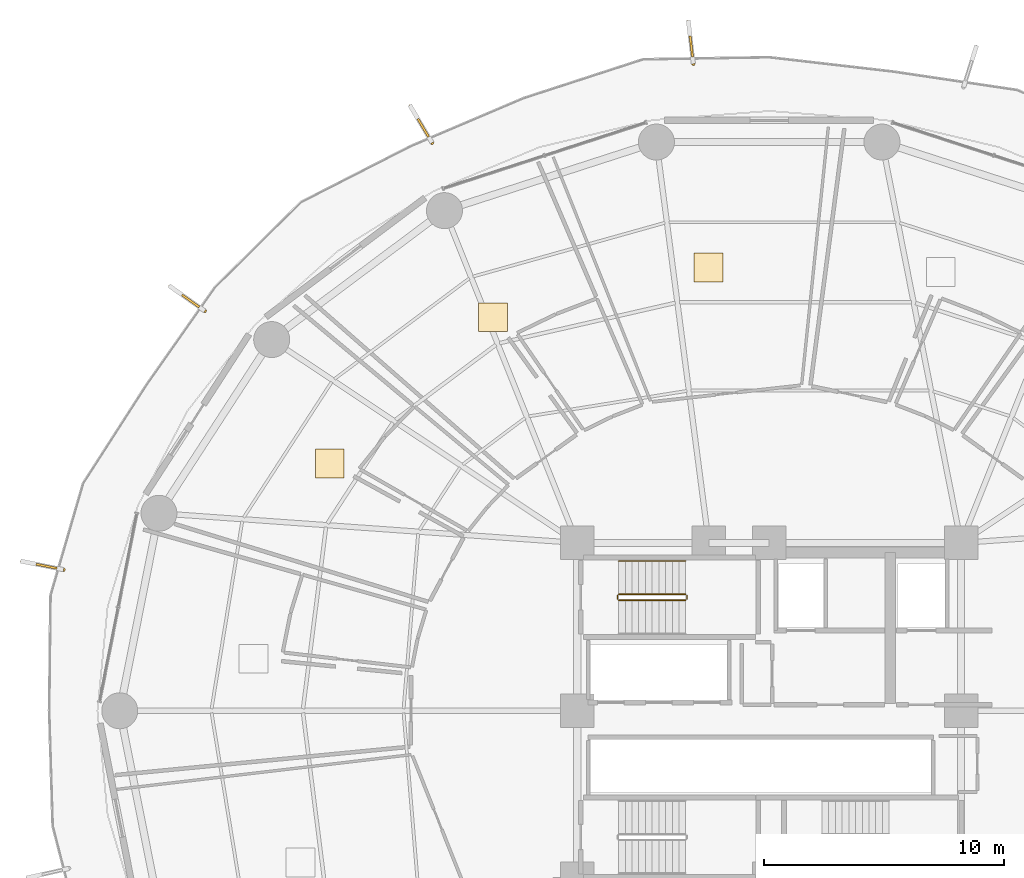
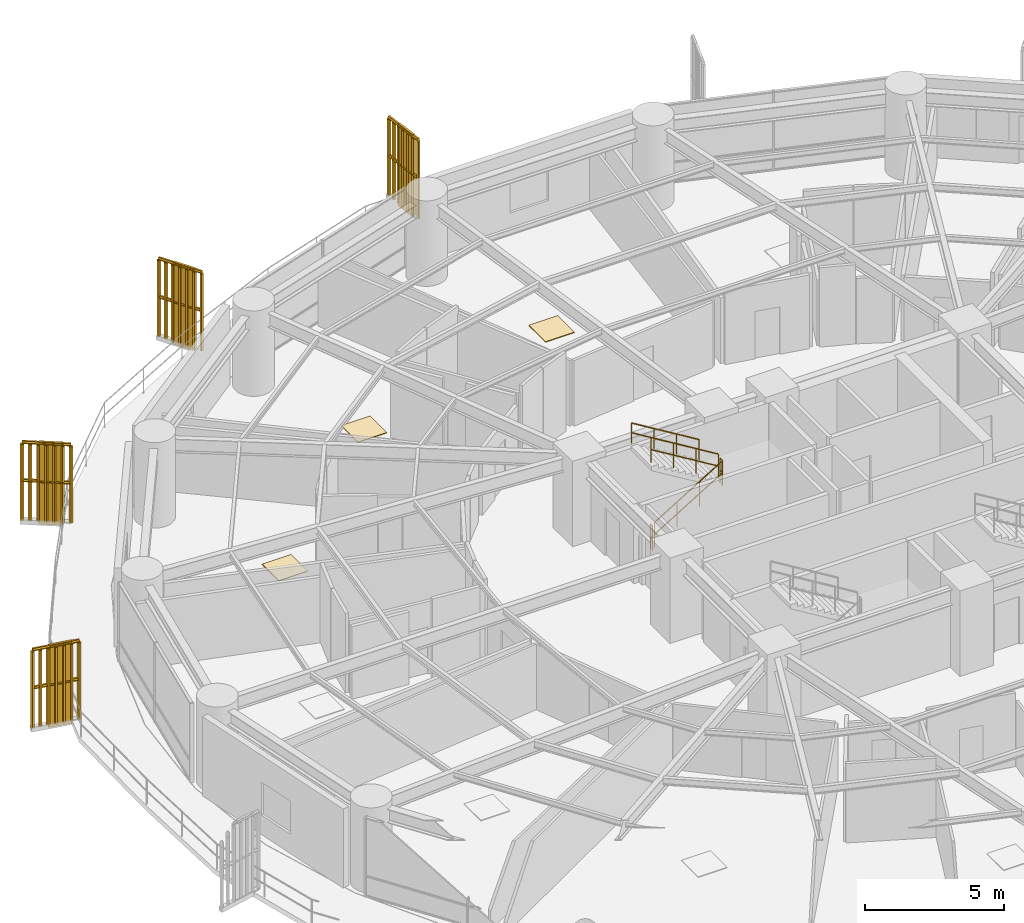
# One storey, part 31 of 32: 9 railings, 4 shading devices, 3 coverings.
"""IFC4 building model written with IfcOpenShell, lengths in metres."""

from ifc_helpers import new_model, si_unit, direction, frame, origin, origin_2d, place, context, subcontext, project, spatial, polyline, rectangle, outline, extrude, source, transform, mapped, material, layer, layer_set, type_object, element, save


model = new_model("IFC4")

# Units and contexts
model_context = context("Model", 3, precision=1e-05, world=origin(), true_north=direction((0.0, 1.0)))
body_context = subcontext(model_context, "Body", "Model", "MODEL_VIEW")
ifc_project = project(units=[si_unit("LENGTHUNIT", "METRE"), si_unit("AREAUNIT", "SQUARE_METRE"), si_unit("VOLUMEUNIT", "CUBIC_METRE"), si_unit("PLANEANGLEUNIT", "RADIAN"), si_unit("MASSUNIT", "GRAM", prefix="KILO")], contexts=[model_context])

# Site, building, storey
site_placement = place(None, origin())
site = spatial("IfcSite", under=ifc_project, at=site_placement, CompositionType="ELEMENT")
building_placement = place(site_placement, origin())
building = spatial("IfcBuilding", under=site, at=building_placement, Name="Kelanora Arch Commons", CompositionType="ELEMENT")
storey_placement = place(building_placement, frame((0.0, 0.0, 48.75)))
storey = spatial("IfcBuildingStorey", under=building, at=storey_placement, Name="L12", CompositionType="ELEMENT", Elevation=48.75)

# Railings
ifc_material_1 = material(Name="Anodised bronze vertical shading fin rib assembly")
railing_type_1 = type_object("IfcRailingType", Name="RAIL-FIN-BRZ", PredefinedType="BALUSTRADE", material=ifc_material_1)
railing_1_placement = place(storey_placement, frame((70.8369140625, 84.977783203125, -0.02001953125)))
element("IfcRailing", 1, at=railing_1_placement, inside=storey, type_object=railing_type_1, Name="Sweeping Bronze Vertical Fin Blade L12-03", PredefinedType="BALUSTRADE", context=body_context, shape_type="SweptSolid", body=[
    extrude(outline(polyline([(0.06982421875, 0.0), (0.034912109375, 0.060546875), (-0.034912109375, 0.060546875), (-0.06982421875, 0.0), (-0.034912109375, -0.060546875), (0.034912109375, -0.060546875), (0.06982421875, 0.0)])), frame((0.0, 0.0, 3.419921875), z_axis=(-0.116448517752, 0.993196729109, 0.0), x_axis=(-0.993196729109, -0.116448517752, 0.0)), (0.0, 0.0, 1.0), 1.767333984375),
    extrude(outline(polyline([(0.06982421875, 0.0), (0.034912109375, 0.060546875), (-0.034912109375, 0.060546875), (-0.06982421875, 0.0), (-0.034912109375, -0.060546875), (0.034912109375, -0.060546875), (0.06982421875, 0.0)])), frame((0.0, 0.0, 1.7451171875), z_axis=(-0.116448517752, 0.993196729109, 0.0), x_axis=(-0.993196729109, -0.116448517752, 0.0)), (0.0, 0.0, 1.0), 1.767333984375),
    extrude(outline(polyline([(0.080078125, 0.0), (0.0400390625, 0.0693359375), (-0.0400390625, 0.0693359375), (-0.080078125, 0.0), (-0.0400390625, -0.0693359375), (0.0400390625, -0.0693359375), (0.080078125, 0.0)])), origin(), (0.0, 0.0, 1.0), 3.35009765625),
    extrude(outline(polyline([(0.080078125, 0.0), (0.0400390625, 0.0693359375), (-0.0400390625, 0.0693359375), (-0.080078125, 0.0), (-0.0400390625, -0.0693359375), (0.0400390625, -0.0693359375), (0.080078125, 0.0)])), frame((-0.0341796875, 0.29248046875, 0.0)), (0.0, 0.0, 1.0), 3.35009765625),
    extrude(outline(polyline([(0.080078125, 0.0), (0.0400390625, 0.0693359375), (-0.0400390625, 0.0693359375), (-0.080078125, 0.0), (-0.0400390625, -0.0693359375), (0.0400390625, -0.0693359375), (0.080078125, 0.0)])), frame((-0.068603515625, 0.585205078125, 0.0)), (0.0, 0.0, 1.0), 3.35009765625),
    extrude(outline(polyline([(0.080078125, 0.0), (0.0400390625, 0.0693359375), (-0.0400390625, 0.0693359375), (-0.080078125, 0.0), (-0.0400390625, -0.0693359375), (0.0400390625, -0.0693359375), (0.080078125, 0.0)])), frame((-0.10302734375, 0.877685546875, 0.0)), (0.0, 0.0, 1.0), 3.35009765625),
    extrude(outline(polyline([(0.080078125, 0.0), (0.0400390625, 0.0693359375), (-0.0400390625, 0.0693359375), (-0.080078125, 0.0), (-0.0400390625, -0.0693359375), (0.0400390625, -0.0693359375), (0.080078125, 0.0)])), frame((-0.13720703125, 1.170166015625, 0.0)), (0.0, 0.0, 1.0), 3.35009765625),
    extrude(outline(polyline([(0.080078125, 0.0), (0.0400390625, 0.0693359375), (-0.0400390625, 0.0693359375), (-0.080078125, 0.0), (-0.0400390625, -0.0693359375), (0.0400390625, -0.0693359375), (0.080078125, 0.0)])), frame((-0.17138671875, 1.462890625, 0.0)), (0.0, 0.0, 1.0), 3.35009765625),
    extrude(outline(polyline([(0.080078125, 0.0), (0.0400390625, 0.0693359375), (-0.0400390625, 0.0693359375), (-0.080078125, 0.0), (-0.0400390625, -0.0693359375), (0.0400390625, -0.0693359375), (0.080078125, 0.0)])), frame((-0.205810546875, 1.75537109375, 0.0)), (0.0, 0.0, 1.0), 3.35009765625),
])
railing_2_placement = place(storey_placement, frame((59.944091796875, 81.685302734375, -0.02001953125)))
element("IfcRailing", 2, at=railing_2_placement, inside=storey, type_object=railing_type_1, Name="Sweeping Bronze Vertical Fin Blade L12-04", PredefinedType="BALUSTRADE", context=body_context, shape_type="SweptSolid", body=[
    extrude(outline(polyline([(0.06982421875, 0.0), (0.034912109375, 0.060546875), (-0.034912109375, 0.060546875), (-0.06982421875, 0.0), (-0.034912109375, -0.060546875), (0.034912109375, -0.060546875), (0.06982421875, 0.0)])), frame((0.0, 0.0, 3.419921875), z_axis=(-0.510427041023, 0.859921063699, 0.0), x_axis=(-0.859921063699, -0.510427041023, 0.0)), (0.0, 0.0, 1.0), 1.767333984375),
    extrude(outline(polyline([(0.06982421875, 0.0), (0.034912109375, 0.060546875), (-0.034912109375, 0.060546875), (-0.06982421875, 0.0), (-0.034912109375, -0.060546875), (0.034912109375, -0.060546875), (0.06982421875, 0.0)])), frame((0.0, 0.0, 1.7451171875), z_axis=(-0.510427041023, 0.859921063699, 0.0), x_axis=(-0.859921063699, -0.510427041023, 0.0)), (0.0, 0.0, 1.0), 1.767333984375),
    extrude(outline(polyline([(0.080078125, 0.0), (0.0400390625, 0.0693359375), (-0.0400390625, 0.0693359375), (-0.080078125, 0.0), (-0.0400390625, -0.0693359375), (0.0400390625, -0.0693359375), (0.080078125, 0.0)])), origin(), (0.0, 0.0, 1.0), 3.35009765625),
    extrude(outline(polyline([(0.080078125, 0.0), (0.0400390625, 0.0693359375), (-0.0400390625, 0.0693359375), (-0.080078125, 0.0), (-0.0400390625, -0.0693359375), (0.0400390625, -0.0693359375), (0.080078125, 0.0)])), frame((-0.150390625, 0.25341796875, 0.0)), (0.0, 0.0, 1.0), 3.35009765625),
    extrude(outline(polyline([(0.080078125, 0.0), (0.0400390625, 0.0693359375), (-0.0400390625, 0.0693359375), (-0.080078125, 0.0), (-0.0400390625, -0.0693359375), (0.0400390625, -0.0693359375), (0.080078125, 0.0)])), frame((-0.30078125, 0.506591796875, 0.0)), (0.0, 0.0, 1.0), 3.35009765625),
    extrude(outline(polyline([(0.080078125, 0.0), (0.0400390625, 0.0693359375), (-0.0400390625, 0.0693359375), (-0.080078125, 0.0), (-0.0400390625, -0.0693359375), (0.0400390625, -0.0693359375), (0.080078125, 0.0)])), frame((-0.451171875, 0.759765625, 0.0)), (0.0, 0.0, 1.0), 3.35009765625),
    extrude(outline(polyline([(0.080078125, 0.0), (0.0400390625, 0.0693359375), (-0.0400390625, 0.0693359375), (-0.080078125, 0.0), (-0.0400390625, -0.0693359375), (0.0400390625, -0.0693359375), (0.080078125, 0.0)])), frame((-0.601318359375, 1.01318359375, 0.0)), (0.0, 0.0, 1.0), 3.35009765625),
    extrude(outline(polyline([(0.080078125, 0.0), (0.0400390625, 0.0693359375), (-0.0400390625, 0.0693359375), (-0.080078125, 0.0), (-0.0400390625, -0.0693359375), (0.0400390625, -0.0693359375), (0.080078125, 0.0)])), frame((-0.751708984375, 1.2666015625, 0.0)), (0.0, 0.0, 1.0), 3.35009765625),
    extrude(outline(polyline([(0.080078125, 0.0), (0.0400390625, 0.0693359375), (-0.0400390625, 0.0693359375), (-0.080078125, 0.0), (-0.0400390625, -0.0693359375), (0.0400390625, -0.0693359375), (0.080078125, 0.0)])), frame((-0.902099609375, 1.519775390625, 0.0)), (0.0, 0.0, 1.0), 3.35009765625),
])
railing_3_placement = place(storey_placement, frame((50.464599609375, 74.672119140625, -0.02001953125)))
element("IfcRailing", 3, at=railing_3_placement, inside=storey, type_object=railing_type_1, Name="Sweeping Bronze Vertical Fin Blade L12-05", PredefinedType="BALUSTRADE", context=body_context, shape_type="SweptSolid", body=[
    extrude(outline(polyline([(0.06982421875, 0.0), (0.034912109375, 0.060546875), (-0.034912109375, 0.060546875), (-0.06982421875, 0.0), (-0.034912109375, -0.060546875), (0.034912109375, -0.060546875), (0.06982421875, 0.0)])), frame((0.0, 0.0, 3.419921875), z_axis=(-0.816078771822, 0.577940687425, 0.0), x_axis=(-0.577940687425, -0.816078771822, 0.0)), (0.0, 0.0, 1.0), 1.767333984375),
    extrude(outline(polyline([(0.06982421875, 0.0), (0.034912109375, 0.060546875), (-0.034912109375, 0.060546875), (-0.06982421875, 0.0), (-0.034912109375, -0.060546875), (0.034912109375, -0.060546875), (0.06982421875, 0.0)])), frame((0.0, 0.0, 1.7451171875), z_axis=(-0.816078771822, 0.577940687425, 0.0), x_axis=(-0.577940687425, -0.816078771822, 0.0)), (0.0, 0.0, 1.0), 1.767333984375),
    extrude(outline(polyline([(0.080078125, 0.0), (0.0400390625, 0.0693359375), (-0.0400390625, 0.0693359375), (-0.080078125, 0.0), (-0.0400390625, -0.0693359375), (0.0400390625, -0.0693359375), (0.080078125, 0.0)])), origin(), (0.0, 0.0, 1.0), 3.35009765625),
    extrude(outline(polyline([(0.080078125, 0.0), (0.0400390625, 0.0693359375), (-0.0400390625, 0.0693359375), (-0.080078125, 0.0), (-0.0400390625, -0.0693359375), (0.0400390625, -0.0693359375), (0.080078125, 0.0)])), frame((-0.240478515625, 0.170166015625, 0.0)), (0.0, 0.0, 1.0), 3.35009765625),
    extrude(outline(polyline([(0.080078125, 0.0), (0.0400390625, 0.0693359375), (-0.0400390625, 0.0693359375), (-0.080078125, 0.0), (-0.0400390625, -0.0693359375), (0.0400390625, -0.0693359375), (0.080078125, 0.0)])), frame((-0.480712890625, 0.340576171875, 0.0)), (0.0, 0.0, 1.0), 3.35009765625),
    extrude(outline(polyline([(0.080078125, 0.0), (0.0400390625, 0.0693359375), (-0.0400390625, 0.0693359375), (-0.080078125, 0.0), (-0.0400390625, -0.0693359375), (0.0400390625, -0.0693359375), (0.080078125, 0.0)])), frame((-0.72119140625, 0.5107421875, 0.0)), (0.0, 0.0, 1.0), 3.35009765625),
    extrude(outline(polyline([(0.080078125, 0.0), (0.0400390625, 0.0693359375), (-0.0400390625, 0.0693359375), (-0.080078125, 0.0), (-0.0400390625, -0.0693359375), (0.0400390625, -0.0693359375), (0.080078125, 0.0)])), frame((-0.961669921875, 0.680908203125, 0.0)), (0.0, 0.0, 1.0), 3.35009765625),
    extrude(outline(polyline([(0.080078125, 0.0), (0.0400390625, 0.0693359375), (-0.0400390625, 0.0693359375), (-0.080078125, 0.0), (-0.0400390625, -0.0693359375), (0.0400390625, -0.0693359375), (0.080078125, 0.0)])), frame((-1.201904296875, 0.851318359375, 0.0)), (0.0, 0.0, 1.0), 3.35009765625),
    extrude(outline(polyline([(0.080078125, 0.0), (0.0400390625, 0.0693359375), (-0.0400390625, 0.0693359375), (-0.080078125, 0.0), (-0.0400390625, -0.0693359375), (0.0400390625, -0.0693359375), (0.080078125, 0.0)])), frame((-1.4423828125, 1.021484375, 0.0)), (0.0, 0.0, 1.0), 3.35009765625),
])
railing_4_placement = place(storey_placement, frame((44.574951171875, 63.88671875, -0.02001953125)))
element("IfcRailing", 4, at=railing_4_placement, inside=storey, type_object=railing_type_1, Name="Sweeping Bronze Vertical Fin Blade L12-06", PredefinedType="BALUSTRADE", context=body_context, shape_type="SweptSolid", body=[
    extrude(outline(polyline([(0.06982421875, 0.0), (0.034912109375, 0.060546875), (-0.034912109375, 0.060546875), (-0.06982421875, 0.0), (-0.034912109375, -0.060546875), (0.034912109375, -0.060546875), (0.06982421875, 0.0)])), frame((0.0, 0.0, 3.419921875), z_axis=(-0.98057536269, 0.19614269827, 0.0), x_axis=(-0.19614269827, -0.98057536269, 0.0)), (0.0, 0.0, 1.0), 1.767578125),
    extrude(outline(polyline([(0.06982421875, 0.0), (0.034912109375, 0.060546875), (-0.034912109375, 0.060546875), (-0.06982421875, 0.0), (-0.034912109375, -0.060546875), (0.034912109375, -0.060546875), (0.06982421875, 0.0)])), frame((0.0, 0.0, 1.7451171875), z_axis=(-0.98057536269, 0.19614269827, 0.0), x_axis=(-0.19614269827, -0.98057536269, 0.0)), (0.0, 0.0, 1.0), 1.767578125),
    extrude(outline(polyline([(0.080078125, 0.0), (0.0400390625, 0.0693359375), (-0.0400390625, 0.0693359375), (-0.080078125, 0.0), (-0.0400390625, -0.0693359375), (0.0400390625, -0.0693359375), (0.080078125, 0.0)])), origin(), (0.0, 0.0, 1.0), 3.35009765625),
    extrude(outline(polyline([(0.080078125, 0.0), (0.0400390625, 0.0693359375), (-0.0400390625, 0.0693359375), (-0.080078125, 0.0), (-0.0400390625, -0.0693359375), (0.0400390625, -0.0693359375), (0.080078125, 0.0)])), frame((-0.288818359375, 0.057861328125, 0.0)), (0.0, 0.0, 1.0), 3.35009765625),
    extrude(outline(polyline([(0.080078125, 0.0), (0.0400390625, 0.0693359375), (-0.0400390625, 0.0693359375), (-0.080078125, 0.0), (-0.0400390625, -0.0693359375), (0.0400390625, -0.0693359375), (0.080078125, 0.0)])), frame((-0.57763671875, 0.115478515625, 0.0)), (0.0, 0.0, 1.0), 3.35009765625),
    extrude(outline(polyline([(0.080078125, 0.0), (0.0400390625, 0.0693359375), (-0.0400390625, 0.0693359375), (-0.080078125, 0.0), (-0.0400390625, -0.0693359375), (0.0400390625, -0.0693359375), (0.080078125, 0.0)])), frame((-0.86669921875, 0.17333984375, 0.0)), (0.0, 0.0, 1.0), 3.35009765625),
    extrude(outline(polyline([(0.080078125, 0.0), (0.0400390625, 0.0693359375), (-0.0400390625, 0.0693359375), (-0.080078125, 0.0), (-0.0400390625, -0.0693359375), (0.0400390625, -0.0693359375), (0.080078125, 0.0)])), frame((-1.155517578125, 0.231201171875, 0.0)), (0.0, 0.0, 1.0), 3.35009765625),
    extrude(outline(polyline([(0.080078125, 0.0), (0.0400390625, 0.0693359375), (-0.0400390625, 0.0693359375), (-0.080078125, 0.0), (-0.0400390625, -0.0693359375), (0.0400390625, -0.0693359375), (0.080078125, 0.0)])), frame((-1.4443359375, 0.288818359375, 0.0)), (0.0, 0.0, 1.0), 3.35009765625),
    extrude(outline(polyline([(0.080078125, 0.0), (0.0400390625, 0.0693359375), (-0.0400390625, 0.0693359375), (-0.080078125, 0.0), (-0.0400390625, -0.0693359375), (0.0400390625, -0.0693359375), (0.080078125, 0.0)])), frame((-1.733154296875, 0.3466796875, 0.0)), (0.0, 0.0, 1.0), 3.35009765625),
])
ifc_material_2 = material(Name="Painted steel stair well guard", Category="steel")
railing_type_2 = type_object("IfcRailingType", Name="RAIL-STAIR-GRD", PredefinedType="GUARDRAIL", material=ifc_material_2)
railing_5_placement = place(storey_placement, frame((67.719970703125, 62.610107421875, 0.17041015625)))
element("IfcRailing", 5, at=railing_5_placement, inside=storey, type_object=railing_type_2, Name="L12 ST-T1 stair guard 1", PredefinedType="GUARDRAIL", context=body_context, shape_type="SweptSolid", body=[
    extrude(outline(polyline([(0.02392578125, 0.0), (0.011962890625, 0.020751953125), (-0.011962890625, 0.020751953125), (-0.02392578125, 0.0), (-0.011962890625, -0.020751953125), (0.011962890625, -0.020751953125), (0.02392578125, 0.0)])), frame((0.0, 0.0, 1.076171875), z_axis=(0.854169791009, 0.0, 0.51999420009), x_axis=(0.0, 1.0, 0.0)), (0.0, 0.0, 1.0), 3.278076171875),
    extrude(outline(polyline([(0.02392578125, 0.0), (0.011962890625, 0.020751953125), (-0.011962890625, 0.020751953125), (-0.02392578125, 0.0), (-0.011962890625, -0.020751953125), (0.011962890625, -0.020751953125), (0.02392578125, 0.0)])), frame((0.0, 0.0, 0.550048828125), z_axis=(0.854169791009, 0.0, 0.51999420009), x_axis=(0.0, 1.0, 0.0)), (0.0, 0.0, 1.0), 3.278076171875),
    extrude(outline(polyline([(0.02099609375, 0.0), (0.010498046875, 0.01806640625), (-0.010498046875, 0.01806640625), (-0.02099609375, 0.0), (-0.010498046875, -0.01806640625), (0.010498046875, -0.01806640625), (0.02099609375, 0.0)])), origin(), (0.0, 0.0, 1.0), 1.052001953125),
    extrude(outline(polyline([(0.02099609375, 0.0), (0.010498046875, 0.01806640625), (-0.010498046875, 0.01806640625), (-0.02099609375, 0.0), (-0.010498046875, -0.01806640625), (0.010498046875, -0.01806640625), (0.02099609375, 0.0)])), frame((0.933349609375, 0.0, 0.568115234375)), (0.0, 0.0, 1.0), 1.052001953125),
    extrude(outline(polyline([(0.02099609375, 0.0), (0.010498046875, 0.01806640625), (-0.010498046875, 0.01806640625), (-0.02099609375, 0.0), (-0.010498046875, -0.01806640625), (0.010498046875, -0.01806640625), (0.02099609375, 0.0)])), frame((1.86669921875, 0.0, 1.136474609375)), (0.0, 0.0, 1.0), 1.052001953125),
    extrude(outline(polyline([(0.02099609375, 0.0), (0.010498046875, 0.01806640625), (-0.010498046875, 0.01806640625), (-0.02099609375, 0.0), (-0.010498046875, -0.01806640625), (0.010498046875, -0.01806640625), (0.02099609375, 0.0)])), frame((2.800048828125, 0.0, 1.70458984375)), (0.0, 0.0, 1.0), 1.052001953125),
])
railing_6_placement = place(storey_placement, frame((70.570068359375, 62.659912109375, 1.875)))
element("IfcRailing", 6, at=railing_6_placement, inside=storey, type_object=railing_type_2, Name="L12 ST-T1 stair guard 2", PredefinedType="GUARDRAIL", context=body_context, shape_type="SweptSolid", body=[
    extrude(outline(polyline([(0.02392578125, 0.0), (0.011962890625, 0.020751953125), (-0.011962890625, 0.020751953125), (-0.02392578125, 0.0), (-0.011962890625, -0.020751953125), (0.011962890625, -0.020751953125), (0.02392578125, 0.0)])), frame((0.0, 0.0, 1.076171875), z_axis=(0.0, 1.0, 0.0), x_axis=(-1.0, 0.0, 0.0)), (0.0, 0.0, 1.0), 0.150146484375),
    extrude(outline(polyline([(0.02392578125, 0.0), (0.011962890625, 0.020751953125), (-0.011962890625, 0.020751953125), (-0.02392578125, 0.0), (-0.011962890625, -0.020751953125), (0.011962890625, -0.020751953125), (0.02392578125, 0.0)])), frame((0.0, 0.0, 0.550048828125), z_axis=(0.0, 1.0, 0.0), x_axis=(-1.0, 0.0, 0.0)), (0.0, 0.0, 1.0), 0.150146484375),
    extrude(outline(polyline([(0.02099609375, 0.0), (0.010498046875, 0.01806640625), (-0.010498046875, 0.01806640625), (-0.02099609375, 0.0), (-0.010498046875, -0.01806640625), (0.010498046875, -0.01806640625), (0.02099609375, 0.0)])), origin(), (0.0, 0.0, 1.0), 1.052001953125),
    extrude(outline(polyline([(0.02099609375, 0.0), (0.010498046875, 0.01806640625), (-0.010498046875, 0.01806640625), (-0.02099609375, 0.0), (-0.010498046875, -0.01806640625), (0.010498046875, -0.01806640625), (0.02099609375, 0.0)])), frame((0.0, 0.150146484375, 0.0)), (0.0, 0.0, 1.0), 1.052001953125),
])
railing_7_placement = place(storey_placement, frame((70.52001953125, 62.860107421875, 2.04541015625)))
element("IfcRailing", 7, at=railing_7_placement, inside=storey, type_object=railing_type_2, Name="L12 ST-T1 stair guard 3", PredefinedType="GUARDRAIL", context=body_context, shape_type="SweptSolid", body=[
    extrude(outline(polyline([(0.02392578125, 0.0), (0.011962890625, 0.020751953125), (-0.011962890625, 0.020751953125), (-0.02392578125, 0.0), (-0.011962890625, -0.020751953125), (0.011962890625, -0.020751953125), (0.02392578125, 0.0)])), frame((0.0, 0.0, 1.076171875), z_axis=(-0.854169791009, 0.0, 0.51999420009), x_axis=(0.0, -1.0, 0.0)), (0.0, 0.0, 1.0), 3.278076171875),
    extrude(outline(polyline([(0.02392578125, 0.0), (0.011962890625, 0.020751953125), (-0.011962890625, 0.020751953125), (-0.02392578125, 0.0), (-0.011962890625, -0.020751953125), (0.011962890625, -0.020751953125), (0.02392578125, 0.0)])), frame((0.0, 0.0, 0.550048828125), z_axis=(-0.854169791009, 0.0, 0.51999420009), x_axis=(0.0, -1.0, 0.0)), (0.0, 0.0, 1.0), 3.278076171875),
    extrude(outline(polyline([(0.02099609375, 0.0), (0.010498046875, 0.01806640625), (-0.010498046875, 0.01806640625), (-0.02099609375, 0.0), (-0.010498046875, -0.01806640625), (0.010498046875, -0.01806640625), (0.02099609375, 0.0)])), origin(), (0.0, 0.0, 1.0), 1.052001953125),
    extrude(outline(polyline([(0.02099609375, 0.0), (0.010498046875, 0.01806640625), (-0.010498046875, 0.01806640625), (-0.02099609375, 0.0), (-0.010498046875, -0.01806640625), (0.010498046875, -0.01806640625), (0.02099609375, 0.0)])), frame((-0.933349609375, 0.0, 0.568115234375)), (0.0, 0.0, 1.0), 1.052001953125),
    extrude(outline(polyline([(0.02099609375, 0.0), (0.010498046875, 0.01806640625), (-0.010498046875, 0.01806640625), (-0.02099609375, 0.0), (-0.010498046875, -0.01806640625), (0.010498046875, -0.01806640625), (0.02099609375, 0.0)])), frame((-1.86669921875, 0.0, 1.136474609375)), (0.0, 0.0, 1.0), 1.052001953125),
    extrude(outline(polyline([(0.02099609375, 0.0), (0.010498046875, 0.01806640625), (-0.010498046875, 0.01806640625), (-0.02099609375, 0.0), (-0.010498046875, -0.01806640625), (0.010498046875, -0.01806640625), (0.02099609375, 0.0)])), frame((-2.800048828125, 0.0, 1.70458984375)), (0.0, 0.0, 1.0), 1.052001953125),
])
railing_8_placement = place(storey_placement, frame((67.669921875, 62.659912109375, 0.0)))
element("IfcRailing", 8, at=railing_8_placement, inside=storey, type_object=railing_type_2, Name="L12 ST-T1 stair guard 4", PredefinedType="GUARDRAIL", context=body_context, shape_type="SweptSolid", body=[
    extrude(outline(polyline([(0.02392578125, 0.0), (0.011962890625, 0.020751953125), (-0.011962890625, 0.020751953125), (-0.02392578125, 0.0), (-0.011962890625, -0.020751953125), (0.011962890625, -0.020751953125), (0.02392578125, 0.0)])), frame((0.0, 0.0, 1.076171875), z_axis=(0.0, 1.0, 0.0), x_axis=(-1.0, 0.0, 0.0)), (0.0, 0.0, 1.0), 0.150146484375),
    extrude(outline(polyline([(0.02392578125, 0.0), (0.011962890625, 0.020751953125), (-0.011962890625, 0.020751953125), (-0.02392578125, 0.0), (-0.011962890625, -0.020751953125), (0.011962890625, -0.020751953125), (0.02392578125, 0.0)])), frame((0.0, 0.0, 0.550048828125), z_axis=(0.0, 1.0, 0.0), x_axis=(-1.0, 0.0, 0.0)), (0.0, 0.0, 1.0), 0.150146484375),
    extrude(outline(polyline([(0.02099609375, 0.0), (0.010498046875, 0.01806640625), (-0.010498046875, 0.01806640625), (-0.02099609375, 0.0), (-0.010498046875, -0.01806640625), (0.010498046875, -0.01806640625), (0.02099609375, 0.0)])), origin(), (0.0, 0.0, 1.0), 1.052001953125),
    extrude(outline(polyline([(0.02099609375, 0.0), (0.010498046875, 0.01806640625), (-0.010498046875, 0.01806640625), (-0.02099609375, 0.0), (-0.010498046875, -0.01806640625), (0.010498046875, -0.01806640625), (0.02099609375, 0.0)])), frame((0.0, 0.150146484375, 0.0)), (0.0, 0.0, 1.0), 1.052001953125),
])
ifc_material_3 = material(Name="Brushed stainless steel stair handrail", Category="steel")
railing_type_3 = type_object("IfcRailingType", Name="RAIL-STAIR-HND", PredefinedType="HANDRAIL", material=ifc_material_3)
railing_9_placement = place(storey_placement, frame((70.52001953125, 64.239990234375, 2.04541015625)))
element("IfcRailing", 9, at=railing_9_placement, inside=storey, type_object=railing_type_3, Name="L12 ST-T1 stair handrail 2", PredefinedType="HANDRAIL", context=body_context, shape_type="SweptSolid", body=[
    extrude(outline(polyline([(0.02392578125, 0.0), (0.011962890625, 0.020751953125), (-0.011962890625, 0.020751953125), (-0.02392578125, 0.0), (-0.011962890625, -0.020751953125), (0.011962890625, -0.020751953125), (0.02392578125, 0.0)])), frame((0.0, 0.0, 0.8759765625), z_axis=(-0.854169791009, 0.0, 0.51999420009), x_axis=(0.0, -1.0, 0.0)), (0.0, 0.0, 1.0), 3.278076171875),
    extrude(outline(polyline([(0.02392578125, 0.0), (0.011962890625, 0.020751953125), (-0.011962890625, 0.020751953125), (-0.02392578125, 0.0), (-0.011962890625, -0.020751953125), (0.011962890625, -0.020751953125), (0.02392578125, 0.0)])), frame((0.0, 0.0, 0.449951171875), z_axis=(-0.854169791009, 0.0, 0.51999420009), x_axis=(0.0, -1.0, 0.0)), (0.0, 0.0, 1.0), 3.278076171875),
    extrude(outline(polyline([(0.02099609375, 0.0), (0.010498046875, 0.01806640625), (-0.010498046875, 0.01806640625), (-0.02099609375, 0.0), (-0.010498046875, -0.01806640625), (0.010498046875, -0.01806640625), (0.02099609375, 0.0)])), origin(), (0.0, 0.0, 1.0), 0.851806640625),
    extrude(outline(polyline([(0.02099609375, 0.0), (0.010498046875, 0.01806640625), (-0.010498046875, 0.01806640625), (-0.02099609375, 0.0), (-0.010498046875, -0.01806640625), (0.010498046875, -0.01806640625), (0.02099609375, 0.0)])), frame((-0.933349609375, 0.0, 0.568115234375)), (0.0, 0.0, 1.0), 0.851806640625),
    extrude(outline(polyline([(0.02099609375, 0.0), (0.010498046875, 0.01806640625), (-0.010498046875, 0.01806640625), (-0.02099609375, 0.0), (-0.010498046875, -0.01806640625), (0.010498046875, -0.01806640625), (0.02099609375, 0.0)])), frame((-1.86669921875, 0.0, 1.136474609375)), (0.0, 0.0, 1.0), 0.851806640625),
    extrude(outline(polyline([(0.02099609375, 0.0), (0.010498046875, 0.01806640625), (-0.010498046875, 0.01806640625), (-0.02099609375, 0.0), (-0.010498046875, -0.01806640625), (0.010498046875, -0.01806640625), (0.02099609375, 0.0)])), frame((-2.800048828125, 0.0, 1.70458984375)), (0.0, 0.0, 1.0), 0.851806640625),
])

# Shading devices
ifc_material_4 = material(Name="Terracotta ceramic-clad extruded aluminium fin", Category="masonry")
shading_device_type = type_object("IfcShadingDeviceType", Name="SHD-FIN-FLARE", PredefinedType="USERDEFINED", material=ifc_material_4)
shared_shape_1 = source(origin(), body_context, "Body", "SweptSolid", [
    extrude(rectangle(XDim=0.8798828125, YDim=0.090087890625, at=origin_2d()), origin(), (0.0, 0.0, 1.0), 3.610107421875),
])
for number, where, z_axis, x_axis, name in (
    (10, (70.753173828125, 85.69287109375, -0.14013671875), (0.0, 0.0, 1.0), (-0.116497394345, 0.993190997297, 0.0), "Sweeping Terracotta Fin L12-03"),
    (11, (59.57666015625, 82.304443359375, -0.14013671875), (0.0, 0.0, 1.0), (-0.510392837604, 0.859941365049, 0.0), "Sweeping Terracotta Fin L12-04"),
    (12, (49.876953125, 75.088134765625, -0.14013671875), (0.0, 0.0, 1.0), (-0.816036722469, 0.578000058462, 0.0), "Sweeping Terracotta Fin L12-05"),
    (13, (43.868896484375, 64.02783203125, -0.14013671875), (0.0, 0.0, 1.0), (-0.980580444557, 0.196117290802, 0.0), "Sweeping Terracotta Fin L12-06"),
):
    element("IfcShadingDevice", number, at=place(storey_placement, frame(where, z_axis=z_axis, x_axis=x_axis)), inside=storey, type_object=shading_device_type, Name=name, ObjectType="FIN", PredefinedType="USERDEFINED", context=body_context, shape_type="MappedRepresentation", body=[
        mapped(shared_shape_1, transform((0.0, 0.0, 0.0), scale=1.0)),
    ])

# Coverings
ifc_material_5 = material(Name="Polished local granite terrazzo flooring", Category="masonry")
ifc_layer = layer(ifc_material_5, 0.030029296875)
ifc_layer_set = layer_set([ifc_layer], Name="Polished local granite terrazzo flooring")
covering_type = type_object("IfcCoveringType", Name="COV-FLR-TER", PredefinedType="FLOORING", material=ifc_layer_set)
shared_shape_2 = source(origin(), body_context, "Body", "SweptSolid", [
    extrude(rectangle(XDim=1.199951171875, YDim=1.199951171875, at=origin_2d()), origin(), (0.0, 0.0, 1.0), 0.030029296875),
])
for number, where, z_axis, x_axis, name in (
    (14, (71.4677734375, 76.48876953125, 0.0), (0.0, 0.0, 1.0), (1.0, 0.0, 0.0), "Communal Dining and Social Hall L12-04 Terrazzo Finish"),
    (15, (62.48828125, 74.413330078125, 0.0), (0.0, 0.0, 1.0), (1.0, 0.0, 0.0), "Co-Living Studio L12-05 Terrazzo Finish"),
    (16, (55.677001953125, 68.31298828125, 0.0), (0.0, 0.0, 1.0), (1.0, 0.0, 0.0), "Co-Living Studio L12-06 Terrazzo Finish"),
):
    element("IfcCovering", number, at=place(storey_placement, frame(where, z_axis=z_axis, x_axis=x_axis)), inside=storey, type_object=covering_type, Name=name, PredefinedType="FLOORING", context=body_context, shape_type="MappedRepresentation", body=[
        mapped(shared_shape_2, transform((0.0, 0.0, 0.0), scale=1.0)),
    ])

save(model, "model.ifc")
